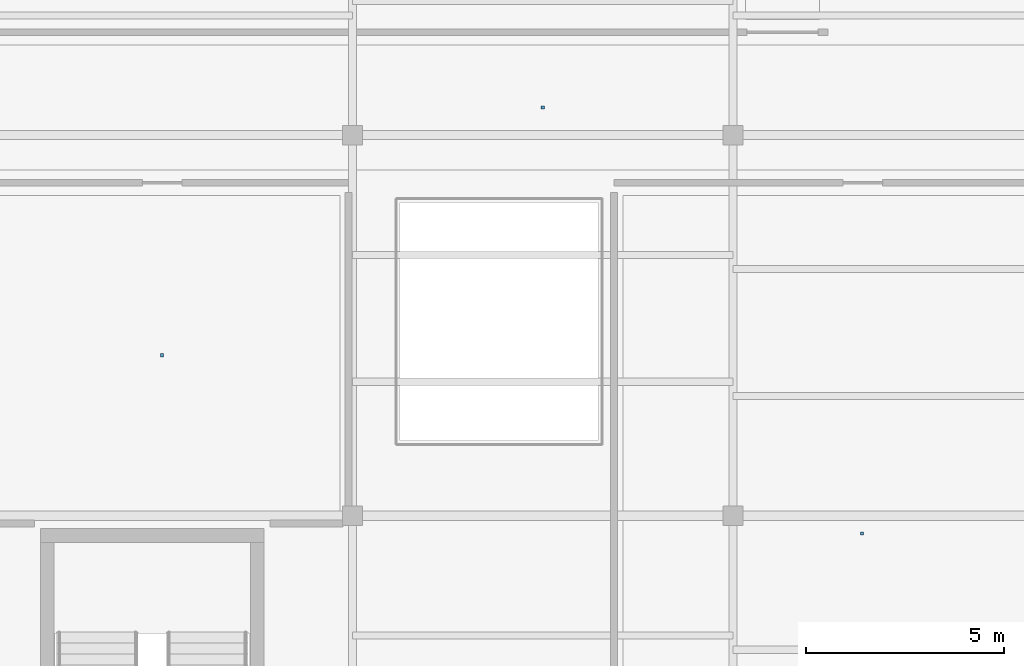
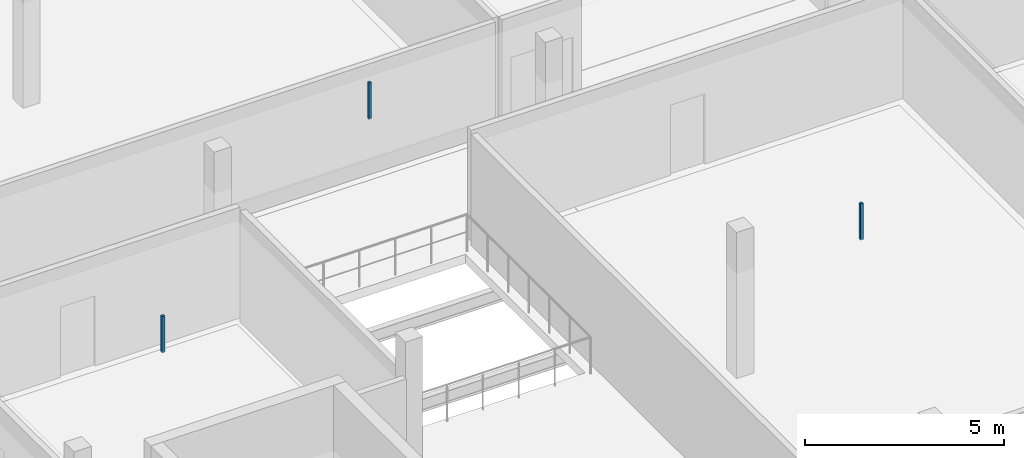
# One storey, part 108 of 114: 3 discrete accessories.
"""IFC4 building model written with IfcOpenShell, lengths in metres."""

from ifc_helpers import new_model, si_unit, direction, frame, origin, origin_2d, place, context, subcontext, project, spatial, rectangle, extrude, material, type_object, element, save


model = new_model("IFC4")

# Units and contexts
model_context = context("Model", 3, precision=1e-05, world=origin(), true_north=direction((0.0, 1.0)))
body_context = subcontext(model_context, "Body", "Model", "MODEL_VIEW")
ifc_project = project(units=[si_unit("LENGTHUNIT", "METRE"), si_unit("AREAUNIT", "SQUARE_METRE"), si_unit("VOLUMEUNIT", "CUBIC_METRE"), si_unit("PLANEANGLEUNIT", "RADIAN"), si_unit("MASSUNIT", "GRAM", prefix="KILO")], contexts=[model_context])

# Site, building, storey
site_placement = place(None, origin())
site = spatial("IfcSite", under=ifc_project, at=site_placement, CompositionType="ELEMENT")
building_placement = place(site_placement, origin())
building = spatial("IfcBuilding", under=site, at=building_placement, Name="Chalmorin Arch Market", CompositionType="ELEMENT")
storey_placement = place(building_placement, frame((0.0, 0.0, 9.60009765625)))
storey = spatial("IfcBuildingStorey", under=building, at=storey_placement, Name="L02", CompositionType="ELEMENT", Elevation=9.60009765625)

# Discrete accessories
ifc_material = material(Name="Galvanized Cold-Formed Steel", Category="steel")
discrete_accessory_type = type_object("IfcDiscreteAccessoryType", Name="CeilingSuspensionBracket-80x80", PredefinedType="BRACKET", material=ifc_material)
for number, where, z_axis, x_axis, name in (
    (1, (72.0, 85.64990234375, 3.202880859375), (0.0, 0.0, 1.0), (1.0, 0.0, 0.0), "CSB-229"),
    (2, (89.64990234375, 81.14990234375, 3.202880859375), (0.0, 0.0, 1.0), (1.0, 0.0, 0.0), "CSB-231"),
    (3, (81.60009765625, 91.89990234375, 3.202880859375), (0.0, 0.0, 1.0), (1.0, 0.0, 0.0), "CSB-235"),
):
    element("IfcDiscreteAccessory", number, at=place(storey_placement, frame(where, z_axis=z_axis, x_axis=x_axis)), inside=storey, type_object=discrete_accessory_type, Name=name, PredefinedType="BRACKET", context=body_context, shape_type="SweptSolid", body=[
        extrude(rectangle(XDim=0.080078125, YDim=0.080078125, at=origin_2d()), origin(), (0.0, 0.0, 1.0), 1.10693359375),
    ])

save(model, "model.ifc")
